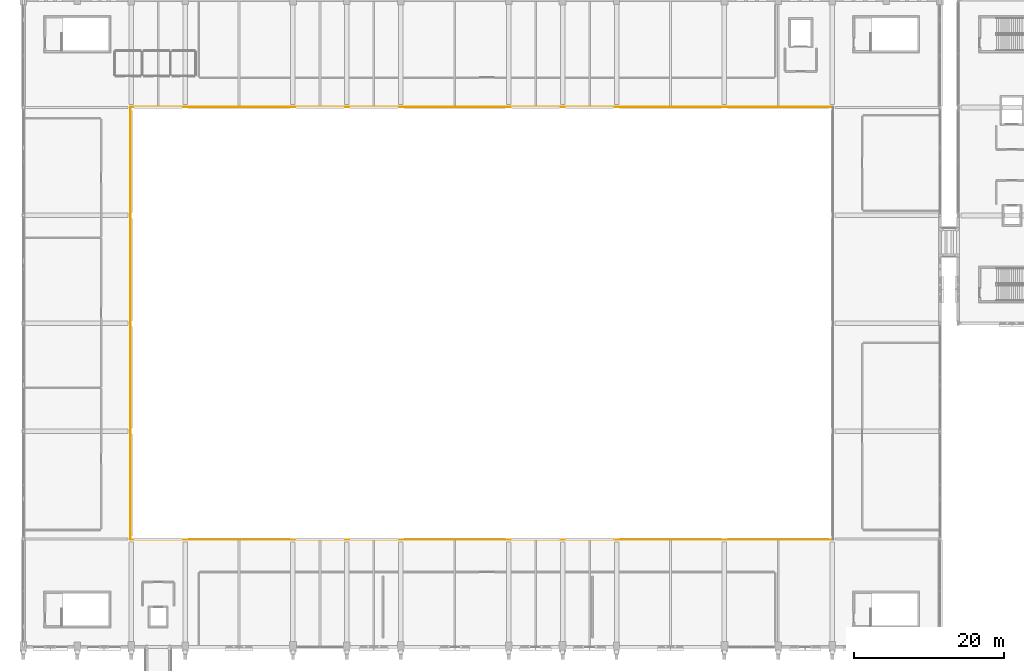
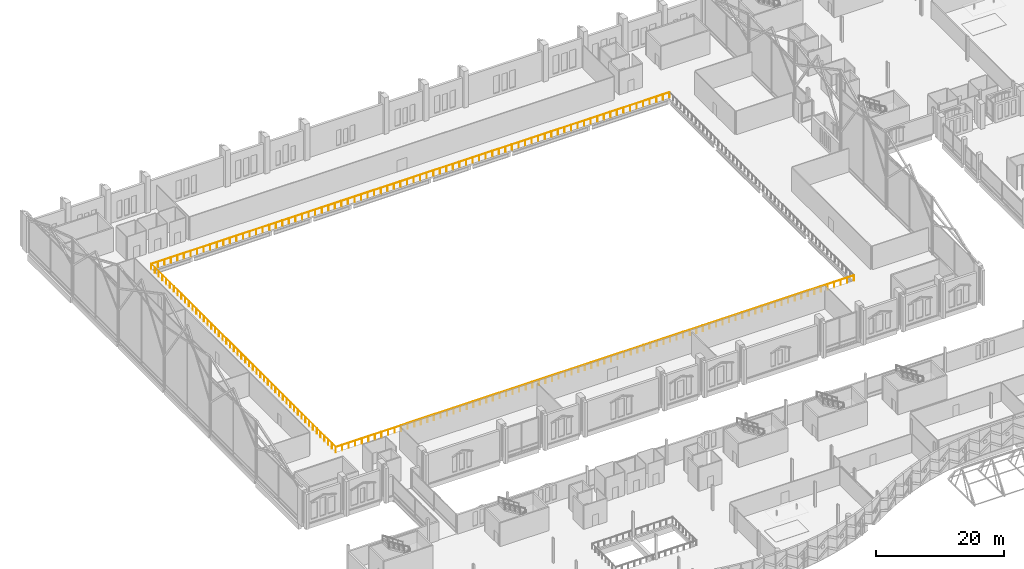
# One storey, part 202 of 220: 3 railings.
"""IFC4 building model written with IfcOpenShell, lengths in metres."""

from ifc_helpers import new_model, si_unit, direction, frame, origin, origin_2d, place, context, subcontext, project, spatial, circle, extrude, material, type_object, element, save


model = new_model("IFC4")

# Units and contexts
model_context = context("Model", 3, precision=1e-05, world=origin(), true_north=direction((0.0, 1.0)))
body_context = subcontext(model_context, "Body", "Model", "MODEL_VIEW")
ifc_project = project(units=[si_unit("LENGTHUNIT", "METRE"), si_unit("AREAUNIT", "SQUARE_METRE"), si_unit("VOLUMEUNIT", "CUBIC_METRE"), si_unit("PLANEANGLEUNIT", "RADIAN"), si_unit("MASSUNIT", "GRAM", prefix="KILO")], contexts=[model_context])

# Site, building, storey
site_placement = place(None, origin())
site = spatial("IfcSite", under=ifc_project, at=site_placement, CompositionType="ELEMENT")
building_placement = place(site_placement, origin())
building = spatial("IfcBuilding", under=site, at=building_placement, Name="Cendralis Lancet Convention Centre", CompositionType="ELEMENT")
storey_placement = place(building_placement, frame((0.0, 0.0, 5.39990234375)))
storey = spatial("IfcBuildingStorey", under=building, at=storey_placement, Name="L01", CompositionType="ELEMENT", Elevation=5.39990234375)

# Railings
ifc_material = material(Name="Steel S355", Category="steel")
railing_type = type_object("IfcRailingType", Name="ARC-RL-IG01", PredefinedType="GUARDRAIL", material=ifc_material)
railing_1_placement = place(storey_placement, frame((14.300048828125, 64.699951171875, 0.0)))
element("IfcRailing", 1, at=railing_1_placement, inside=storey, type_object=railing_type, Name="L01 Atrium Void Guardrail GD-IN1 #001", PredefinedType="GUARDRAIL", context=body_context, shape_type="SweptSolid", body=[
    extrude(circle(Radius=0.02392578125, at=origin_2d()), frame((0.0, 0.0, 1.076171875), z_axis=(1.0, 0.0, 0.0), x_axis=(0.0, 1.0, 0.0)), (0.0, 0.0, 1.0), 93.800048828125),
    extrude(circle(Radius=0.02099609375, at=origin_2d()), origin(), (0.0, 0.0, 1.0), 1.052001953125),
    extrude(circle(Radius=0.02099609375, at=origin_2d()), frame((1.187255859375, 0.0, 0.0)), (0.0, 0.0, 1.0), 1.052001953125),
    extrude(circle(Radius=0.02099609375, at=origin_2d()), frame((2.374755859375, 0.0, 0.0)), (0.0, 0.0, 1.0), 1.052001953125),
    extrude(circle(Radius=0.02099609375, at=origin_2d()), frame((3.56201171875, 0.0, 0.0)), (0.0, 0.0, 1.0), 1.052001953125),
    extrude(circle(Radius=0.02099609375, at=origin_2d()), frame((4.749267578125, 0.0, 0.0)), (0.0, 0.0, 1.0), 1.052001953125),
    extrude(circle(Radius=0.02099609375, at=origin_2d()), frame((5.936767578125, 0.0, 0.0)), (0.0, 0.0, 1.0), 1.052001953125),
    extrude(circle(Radius=0.02099609375, at=origin_2d()), frame((7.1240234375, 0.0, 0.0)), (0.0, 0.0, 1.0), 1.052001953125),
    extrude(circle(Radius=0.02099609375, at=origin_2d()), frame((8.311279296875, 0.0, 0.0)), (0.0, 0.0, 1.0), 1.052001953125),
    extrude(circle(Radius=0.02099609375, at=origin_2d()), frame((9.498779296875, 0.0, 0.0)), (0.0, 0.0, 1.0), 1.052001953125),
    extrude(circle(Radius=0.02099609375, at=origin_2d()), frame((10.68603515625, 0.0, 0.0)), (0.0, 0.0, 1.0), 1.052001953125),
    extrude(circle(Radius=0.02099609375, at=origin_2d()), frame((11.87353515625, 0.0, 0.0)), (0.0, 0.0, 1.0), 1.052001953125),
    extrude(circle(Radius=0.02099609375, at=origin_2d()), frame((13.060791015625, 0.0, 0.0)), (0.0, 0.0, 1.0), 1.052001953125),
    extrude(circle(Radius=0.02099609375, at=origin_2d()), frame((14.248046875, 0.0, 0.0)), (0.0, 0.0, 1.0), 1.052001953125),
    extrude(circle(Radius=0.02099609375, at=origin_2d()), frame((15.435546875, 0.0, 0.0)), (0.0, 0.0, 1.0), 1.052001953125),
    extrude(circle(Radius=0.02099609375, at=origin_2d()), frame((16.622802734375, 0.0, 0.0)), (0.0, 0.0, 1.0), 1.052001953125),
    extrude(circle(Radius=0.02099609375, at=origin_2d()), frame((17.81005859375, 0.0, 0.0)), (0.0, 0.0, 1.0), 1.052001953125),
    extrude(circle(Radius=0.02099609375, at=origin_2d()), frame((18.99755859375, 0.0, 0.0)), (0.0, 0.0, 1.0), 1.052001953125),
    extrude(circle(Radius=0.02099609375, at=origin_2d()), frame((20.184814453125, 0.0, 0.0)), (0.0, 0.0, 1.0), 1.052001953125),
    extrude(circle(Radius=0.02099609375, at=origin_2d()), frame((21.3720703125, 0.0, 0.0)), (0.0, 0.0, 1.0), 1.052001953125),
    extrude(circle(Radius=0.02099609375, at=origin_2d()), frame((22.5595703125, 0.0, 0.0)), (0.0, 0.0, 1.0), 1.052001953125),
    extrude(circle(Radius=0.02099609375, at=origin_2d()), frame((23.746826171875, 0.0, 0.0)), (0.0, 0.0, 1.0), 1.052001953125),
    extrude(circle(Radius=0.02099609375, at=origin_2d()), frame((24.93408203125, 0.0, 0.0)), (0.0, 0.0, 1.0), 1.052001953125),
    extrude(circle(Radius=0.02099609375, at=origin_2d()), frame((26.12158203125, 0.0, 0.0)), (0.0, 0.0, 1.0), 1.052001953125),
    extrude(circle(Radius=0.02099609375, at=origin_2d()), frame((27.308837890625, 0.0, 0.0)), (0.0, 0.0, 1.0), 1.052001953125),
    extrude(circle(Radius=0.02099609375, at=origin_2d()), frame((28.496337890625, 0.0, 0.0)), (0.0, 0.0, 1.0), 1.052001953125),
    extrude(circle(Radius=0.02099609375, at=origin_2d()), frame((29.68359375, 0.0, 0.0)), (0.0, 0.0, 1.0), 1.052001953125),
    extrude(circle(Radius=0.02099609375, at=origin_2d()), frame((30.870849609375, 0.0, 0.0)), (0.0, 0.0, 1.0), 1.052001953125),
    extrude(circle(Radius=0.02099609375, at=origin_2d()), frame((32.058349609375, 0.0, 0.0)), (0.0, 0.0, 1.0), 1.052001953125),
    extrude(circle(Radius=0.02099609375, at=origin_2d()), frame((33.24560546875, 0.0, 0.0)), (0.0, 0.0, 1.0), 1.052001953125),
    extrude(circle(Radius=0.02099609375, at=origin_2d()), frame((34.432861328125, 0.0, 0.0)), (0.0, 0.0, 1.0), 1.052001953125),
    extrude(circle(Radius=0.02099609375, at=origin_2d()), frame((35.620361328125, 0.0, 0.0)), (0.0, 0.0, 1.0), 1.052001953125),
    extrude(circle(Radius=0.02099609375, at=origin_2d()), frame((36.8076171875, 0.0, 0.0)), (0.0, 0.0, 1.0), 1.052001953125),
    extrude(circle(Radius=0.02099609375, at=origin_2d()), frame((37.994873046875, 0.0, 0.0)), (0.0, 0.0, 1.0), 1.052001953125),
    extrude(circle(Radius=0.02099609375, at=origin_2d()), frame((39.182373046875, 0.0, 0.0)), (0.0, 0.0, 1.0), 1.052001953125),
    extrude(circle(Radius=0.02099609375, at=origin_2d()), frame((40.36962890625, 0.0, 0.0)), (0.0, 0.0, 1.0), 1.052001953125),
    extrude(circle(Radius=0.02099609375, at=origin_2d()), frame((41.556884765625, 0.0, 0.0)), (0.0, 0.0, 1.0), 1.052001953125),
    extrude(circle(Radius=0.02099609375, at=origin_2d()), frame((42.744384765625, 0.0, 0.0)), (0.0, 0.0, 1.0), 1.052001953125),
    extrude(circle(Radius=0.02099609375, at=origin_2d()), frame((43.931640625, 0.0, 0.0)), (0.0, 0.0, 1.0), 1.052001953125),
    extrude(circle(Radius=0.02099609375, at=origin_2d()), frame((45.118896484375, 0.0, 0.0)), (0.0, 0.0, 1.0), 1.052001953125),
    extrude(circle(Radius=0.02099609375, at=origin_2d()), frame((46.306396484375, 0.0, 0.0)), (0.0, 0.0, 1.0), 1.052001953125),
    extrude(circle(Radius=0.02099609375, at=origin_2d()), frame((47.49365234375, 0.0, 0.0)), (0.0, 0.0, 1.0), 1.052001953125),
    extrude(circle(Radius=0.02099609375, at=origin_2d()), frame((48.68115234375, 0.0, 0.0)), (0.0, 0.0, 1.0), 1.052001953125),
    extrude(circle(Radius=0.02099609375, at=origin_2d()), frame((49.868408203125, 0.0, 0.0)), (0.0, 0.0, 1.0), 1.052001953125),
    extrude(circle(Radius=0.02099609375, at=origin_2d()), frame((51.0556640625, 0.0, 0.0)), (0.0, 0.0, 1.0), 1.052001953125),
    extrude(circle(Radius=0.02099609375, at=origin_2d()), frame((52.2431640625, 0.0, 0.0)), (0.0, 0.0, 1.0), 1.052001953125),
    extrude(circle(Radius=0.02099609375, at=origin_2d()), frame((53.430419921875, 0.0, 0.0)), (0.0, 0.0, 1.0), 1.052001953125),
    extrude(circle(Radius=0.02099609375, at=origin_2d()), frame((54.61767578125, 0.0, 0.0)), (0.0, 0.0, 1.0), 1.052001953125),
    extrude(circle(Radius=0.02099609375, at=origin_2d()), frame((55.80517578125, 0.0, 0.0)), (0.0, 0.0, 1.0), 1.052001953125),
    extrude(circle(Radius=0.02099609375, at=origin_2d()), frame((56.992431640625, 0.0, 0.0)), (0.0, 0.0, 1.0), 1.052001953125),
    extrude(circle(Radius=0.02099609375, at=origin_2d()), frame((58.1796875, 0.0, 0.0)), (0.0, 0.0, 1.0), 1.052001953125),
    extrude(circle(Radius=0.02099609375, at=origin_2d()), frame((59.3671875, 0.0, 0.0)), (0.0, 0.0, 1.0), 1.052001953125),
    extrude(circle(Radius=0.02099609375, at=origin_2d()), frame((60.554443359375, 0.0, 0.0)), (0.0, 0.0, 1.0), 1.052001953125),
    extrude(circle(Radius=0.02099609375, at=origin_2d()), frame((61.74169921875, 0.0, 0.0)), (0.0, 0.0, 1.0), 1.052001953125),
    extrude(circle(Radius=0.02099609375, at=origin_2d()), frame((62.92919921875, 0.0, 0.0)), (0.0, 0.0, 1.0), 1.052001953125),
    extrude(circle(Radius=0.02099609375, at=origin_2d()), frame((64.116455078125, 0.0, 0.0)), (0.0, 0.0, 1.0), 1.052001953125),
    extrude(circle(Radius=0.02099609375, at=origin_2d()), frame((65.3037109375, 0.0, 0.0)), (0.0, 0.0, 1.0), 1.052001953125),
    extrude(circle(Radius=0.02099609375, at=origin_2d()), frame((66.4912109375, 0.0, 0.0)), (0.0, 0.0, 1.0), 1.052001953125),
    extrude(circle(Radius=0.02099609375, at=origin_2d()), frame((67.678466796875, 0.0, 0.0)), (0.0, 0.0, 1.0), 1.052001953125),
    extrude(circle(Radius=0.02099609375, at=origin_2d()), frame((68.865966796875, 0.0, 0.0)), (0.0, 0.0, 1.0), 1.052001953125),
    extrude(circle(Radius=0.02099609375, at=origin_2d()), frame((70.05322265625, 0.0, 0.0)), (0.0, 0.0, 1.0), 1.052001953125),
    extrude(circle(Radius=0.02099609375, at=origin_2d()), frame((71.240478515625, 0.0, 0.0)), (0.0, 0.0, 1.0), 1.052001953125),
    extrude(circle(Radius=0.02099609375, at=origin_2d()), frame((72.427978515625, 0.0, 0.0)), (0.0, 0.0, 1.0), 1.052001953125),
    extrude(circle(Radius=0.02099609375, at=origin_2d()), frame((73.615234375, 0.0, 0.0)), (0.0, 0.0, 1.0), 1.052001953125),
    extrude(circle(Radius=0.02099609375, at=origin_2d()), frame((74.802490234375, 0.0, 0.0)), (0.0, 0.0, 1.0), 1.052001953125),
    extrude(circle(Radius=0.02099609375, at=origin_2d()), frame((75.989990234375, 0.0, 0.0)), (0.0, 0.0, 1.0), 1.052001953125),
    extrude(circle(Radius=0.02099609375, at=origin_2d()), frame((77.17724609375, 0.0, 0.0)), (0.0, 0.0, 1.0), 1.052001953125),
    extrude(circle(Radius=0.02099609375, at=origin_2d()), frame((78.364501953125, 0.0, 0.0)), (0.0, 0.0, 1.0), 1.052001953125),
    extrude(circle(Radius=0.02099609375, at=origin_2d()), frame((79.552001953125, 0.0, 0.0)), (0.0, 0.0, 1.0), 1.052001953125),
    extrude(circle(Radius=0.02099609375, at=origin_2d()), frame((80.7392578125, 0.0, 0.0)), (0.0, 0.0, 1.0), 1.052001953125),
    extrude(circle(Radius=0.02099609375, at=origin_2d()), frame((81.926513671875, 0.0, 0.0)), (0.0, 0.0, 1.0), 1.052001953125),
    extrude(circle(Radius=0.02099609375, at=origin_2d()), frame((83.114013671875, 0.0, 0.0)), (0.0, 0.0, 1.0), 1.052001953125),
    extrude(circle(Radius=0.02099609375, at=origin_2d()), frame((84.30126953125, 0.0, 0.0)), (0.0, 0.0, 1.0), 1.052001953125),
    extrude(circle(Radius=0.02099609375, at=origin_2d()), frame((85.48876953125, 0.0, 0.0)), (0.0, 0.0, 1.0), 1.052001953125),
    extrude(circle(Radius=0.02099609375, at=origin_2d()), frame((86.676025390625, 0.0, 0.0)), (0.0, 0.0, 1.0), 1.052001953125),
    extrude(circle(Radius=0.02099609375, at=origin_2d()), frame((87.86328125, 0.0, 0.0)), (0.0, 0.0, 1.0), 1.052001953125),
    extrude(circle(Radius=0.02099609375, at=origin_2d()), frame((89.05078125, 0.0, 0.0)), (0.0, 0.0, 1.0), 1.052001953125),
    extrude(circle(Radius=0.02099609375, at=origin_2d()), frame((90.238037109375, 0.0, 0.0)), (0.0, 0.0, 1.0), 1.052001953125),
    extrude(circle(Radius=0.02099609375, at=origin_2d()), frame((91.42529296875, 0.0, 0.0)), (0.0, 0.0, 1.0), 1.052001953125),
    extrude(circle(Radius=0.02099609375, at=origin_2d()), frame((92.61279296875, 0.0, 0.0)), (0.0, 0.0, 1.0), 1.052001953125),
    extrude(circle(Radius=0.02099609375, at=origin_2d()), frame((93.800048828125, 0.0, 0.0)), (0.0, 0.0, 1.0), 1.052001953125),
])
railing_2_placement = place(storey_placement, frame((108.10009765625, 122.5, 0.0)))
element("IfcRailing", 2, at=railing_2_placement, inside=storey, type_object=railing_type, Name="L01 Atrium Void Guardrail GD-IN1 #003", PredefinedType="GUARDRAIL", context=body_context, shape_type="SweptSolid", body=[
    extrude(circle(Radius=0.02392578125, at=origin_2d()), frame((0.0, 0.0, 1.076171875), z_axis=(-1.0, 0.0, 0.0), x_axis=(0.0, -1.0, 0.0)), (0.0, 0.0, 1.0), 93.800048828125),
    extrude(circle(Radius=0.02099609375, at=origin_2d()), origin(), (0.0, 0.0, 1.0), 1.052001953125),
    extrude(circle(Radius=0.02099609375, at=origin_2d()), frame((-1.187255859375, 0.0, 0.0)), (0.0, 0.0, 1.0), 1.052001953125),
    extrude(circle(Radius=0.02099609375, at=origin_2d()), frame((-2.374755859375, 0.0, 0.0)), (0.0, 0.0, 1.0), 1.052001953125),
    extrude(circle(Radius=0.02099609375, at=origin_2d()), frame((-3.56201171875, 0.0, 0.0)), (0.0, 0.0, 1.0), 1.052001953125),
    extrude(circle(Radius=0.02099609375, at=origin_2d()), frame((-4.749267578125, 0.0, 0.0)), (0.0, 0.0, 1.0), 1.052001953125),
    extrude(circle(Radius=0.02099609375, at=origin_2d()), frame((-5.936767578125, 0.0, 0.0)), (0.0, 0.0, 1.0), 1.052001953125),
    extrude(circle(Radius=0.02099609375, at=origin_2d()), frame((-7.1240234375, 0.0, 0.0)), (0.0, 0.0, 1.0), 1.052001953125),
    extrude(circle(Radius=0.02099609375, at=origin_2d()), frame((-8.311279296875, 0.0, 0.0)), (0.0, 0.0, 1.0), 1.052001953125),
    extrude(circle(Radius=0.02099609375, at=origin_2d()), frame((-9.498779296875, 0.0, 0.0)), (0.0, 0.0, 1.0), 1.052001953125),
    extrude(circle(Radius=0.02099609375, at=origin_2d()), frame((-10.68603515625, 0.0, 0.0)), (0.0, 0.0, 1.0), 1.052001953125),
    extrude(circle(Radius=0.02099609375, at=origin_2d()), frame((-11.87353515625, 0.0, 0.0)), (0.0, 0.0, 1.0), 1.052001953125),
    extrude(circle(Radius=0.02099609375, at=origin_2d()), frame((-13.060791015625, 0.0, 0.0)), (0.0, 0.0, 1.0), 1.052001953125),
    extrude(circle(Radius=0.02099609375, at=origin_2d()), frame((-14.248046875, 0.0, 0.0)), (0.0, 0.0, 1.0), 1.052001953125),
    extrude(circle(Radius=0.02099609375, at=origin_2d()), frame((-15.435546875, 0.0, 0.0)), (0.0, 0.0, 1.0), 1.052001953125),
    extrude(circle(Radius=0.02099609375, at=origin_2d()), frame((-16.622802734375, 0.0, 0.0)), (0.0, 0.0, 1.0), 1.052001953125),
    extrude(circle(Radius=0.02099609375, at=origin_2d()), frame((-17.81005859375, 0.0, 0.0)), (0.0, 0.0, 1.0), 1.052001953125),
    extrude(circle(Radius=0.02099609375, at=origin_2d()), frame((-18.99755859375, 0.0, 0.0)), (0.0, 0.0, 1.0), 1.052001953125),
    extrude(circle(Radius=0.02099609375, at=origin_2d()), frame((-20.184814453125, 0.0, 0.0)), (0.0, 0.0, 1.0), 1.052001953125),
    extrude(circle(Radius=0.02099609375, at=origin_2d()), frame((-21.3720703125, 0.0, 0.0)), (0.0, 0.0, 1.0), 1.052001953125),
    extrude(circle(Radius=0.02099609375, at=origin_2d()), frame((-22.5595703125, 0.0, 0.0)), (0.0, 0.0, 1.0), 1.052001953125),
    extrude(circle(Radius=0.02099609375, at=origin_2d()), frame((-23.746826171875, 0.0, 0.0)), (0.0, 0.0, 1.0), 1.052001953125),
    extrude(circle(Radius=0.02099609375, at=origin_2d()), frame((-24.93408203125, 0.0, 0.0)), (0.0, 0.0, 1.0), 1.052001953125),
    extrude(circle(Radius=0.02099609375, at=origin_2d()), frame((-26.12158203125, 0.0, 0.0)), (0.0, 0.0, 1.0), 1.052001953125),
    extrude(circle(Radius=0.02099609375, at=origin_2d()), frame((-27.308837890625, 0.0, 0.0)), (0.0, 0.0, 1.0), 1.052001953125),
    extrude(circle(Radius=0.02099609375, at=origin_2d()), frame((-28.496337890625, 0.0, 0.0)), (0.0, 0.0, 1.0), 1.052001953125),
    extrude(circle(Radius=0.02099609375, at=origin_2d()), frame((-29.68359375, 0.0, 0.0)), (0.0, 0.0, 1.0), 1.052001953125),
    extrude(circle(Radius=0.02099609375, at=origin_2d()), frame((-30.870849609375, 0.0, 0.0)), (0.0, 0.0, 1.0), 1.052001953125),
    extrude(circle(Radius=0.02099609375, at=origin_2d()), frame((-32.058349609375, 0.0, 0.0)), (0.0, 0.0, 1.0), 1.052001953125),
    extrude(circle(Radius=0.02099609375, at=origin_2d()), frame((-33.24560546875, 0.0, 0.0)), (0.0, 0.0, 1.0), 1.052001953125),
    extrude(circle(Radius=0.02099609375, at=origin_2d()), frame((-34.432861328125, 0.0, 0.0)), (0.0, 0.0, 1.0), 1.052001953125),
    extrude(circle(Radius=0.02099609375, at=origin_2d()), frame((-35.620361328125, 0.0, 0.0)), (0.0, 0.0, 1.0), 1.052001953125),
    extrude(circle(Radius=0.02099609375, at=origin_2d()), frame((-36.8076171875, 0.0, 0.0)), (0.0, 0.0, 1.0), 1.052001953125),
    extrude(circle(Radius=0.02099609375, at=origin_2d()), frame((-37.994873046875, 0.0, 0.0)), (0.0, 0.0, 1.0), 1.052001953125),
    extrude(circle(Radius=0.02099609375, at=origin_2d()), frame((-39.182373046875, 0.0, 0.0)), (0.0, 0.0, 1.0), 1.052001953125),
    extrude(circle(Radius=0.02099609375, at=origin_2d()), frame((-40.36962890625, 0.0, 0.0)), (0.0, 0.0, 1.0), 1.052001953125),
    extrude(circle(Radius=0.02099609375, at=origin_2d()), frame((-41.556884765625, 0.0, 0.0)), (0.0, 0.0, 1.0), 1.052001953125),
    extrude(circle(Radius=0.02099609375, at=origin_2d()), frame((-42.744384765625, 0.0, 0.0)), (0.0, 0.0, 1.0), 1.052001953125),
    extrude(circle(Radius=0.02099609375, at=origin_2d()), frame((-43.931640625, 0.0, 0.0)), (0.0, 0.0, 1.0), 1.052001953125),
    extrude(circle(Radius=0.02099609375, at=origin_2d()), frame((-45.118896484375, 0.0, 0.0)), (0.0, 0.0, 1.0), 1.052001953125),
    extrude(circle(Radius=0.02099609375, at=origin_2d()), frame((-46.306396484375, 0.0, 0.0)), (0.0, 0.0, 1.0), 1.052001953125),
    extrude(circle(Radius=0.02099609375, at=origin_2d()), frame((-47.49365234375, 0.0, 0.0)), (0.0, 0.0, 1.0), 1.052001953125),
    extrude(circle(Radius=0.02099609375, at=origin_2d()), frame((-48.68115234375, 0.0, 0.0)), (0.0, 0.0, 1.0), 1.052001953125),
    extrude(circle(Radius=0.02099609375, at=origin_2d()), frame((-49.868408203125, 0.0, 0.0)), (0.0, 0.0, 1.0), 1.052001953125),
    extrude(circle(Radius=0.02099609375, at=origin_2d()), frame((-51.0556640625, 0.0, 0.0)), (0.0, 0.0, 1.0), 1.052001953125),
    extrude(circle(Radius=0.02099609375, at=origin_2d()), frame((-52.2431640625, 0.0, 0.0)), (0.0, 0.0, 1.0), 1.052001953125),
    extrude(circle(Radius=0.02099609375, at=origin_2d()), frame((-53.430419921875, 0.0, 0.0)), (0.0, 0.0, 1.0), 1.052001953125),
    extrude(circle(Radius=0.02099609375, at=origin_2d()), frame((-54.61767578125, 0.0, 0.0)), (0.0, 0.0, 1.0), 1.052001953125),
    extrude(circle(Radius=0.02099609375, at=origin_2d()), frame((-55.80517578125, 0.0, 0.0)), (0.0, 0.0, 1.0), 1.052001953125),
    extrude(circle(Radius=0.02099609375, at=origin_2d()), frame((-56.992431640625, 0.0, 0.0)), (0.0, 0.0, 1.0), 1.052001953125),
    extrude(circle(Radius=0.02099609375, at=origin_2d()), frame((-58.1796875, 0.0, 0.0)), (0.0, 0.0, 1.0), 1.052001953125),
    extrude(circle(Radius=0.02099609375, at=origin_2d()), frame((-59.3671875, 0.0, 0.0)), (0.0, 0.0, 1.0), 1.052001953125),
    extrude(circle(Radius=0.02099609375, at=origin_2d()), frame((-60.554443359375, 0.0, 0.0)), (0.0, 0.0, 1.0), 1.052001953125),
    extrude(circle(Radius=0.02099609375, at=origin_2d()), frame((-61.74169921875, 0.0, 0.0)), (0.0, 0.0, 1.0), 1.052001953125),
    extrude(circle(Radius=0.02099609375, at=origin_2d()), frame((-62.92919921875, 0.0, 0.0)), (0.0, 0.0, 1.0), 1.052001953125),
    extrude(circle(Radius=0.02099609375, at=origin_2d()), frame((-64.116455078125, 0.0, 0.0)), (0.0, 0.0, 1.0), 1.052001953125),
    extrude(circle(Radius=0.02099609375, at=origin_2d()), frame((-65.3037109375, 0.0, 0.0)), (0.0, 0.0, 1.0), 1.052001953125),
    extrude(circle(Radius=0.02099609375, at=origin_2d()), frame((-66.4912109375, 0.0, 0.0)), (0.0, 0.0, 1.0), 1.052001953125),
    extrude(circle(Radius=0.02099609375, at=origin_2d()), frame((-67.678466796875, 0.0, 0.0)), (0.0, 0.0, 1.0), 1.052001953125),
    extrude(circle(Radius=0.02099609375, at=origin_2d()), frame((-68.865966796875, 0.0, 0.0)), (0.0, 0.0, 1.0), 1.052001953125),
    extrude(circle(Radius=0.02099609375, at=origin_2d()), frame((-70.05322265625, 0.0, 0.0)), (0.0, 0.0, 1.0), 1.052001953125),
    extrude(circle(Radius=0.02099609375, at=origin_2d()), frame((-71.240478515625, 0.0, 0.0)), (0.0, 0.0, 1.0), 1.052001953125),
    extrude(circle(Radius=0.02099609375, at=origin_2d()), frame((-72.427978515625, 0.0, 0.0)), (0.0, 0.0, 1.0), 1.052001953125),
    extrude(circle(Radius=0.02099609375, at=origin_2d()), frame((-73.615234375, 0.0, 0.0)), (0.0, 0.0, 1.0), 1.052001953125),
    extrude(circle(Radius=0.02099609375, at=origin_2d()), frame((-74.802490234375, 0.0, 0.0)), (0.0, 0.0, 1.0), 1.052001953125),
    extrude(circle(Radius=0.02099609375, at=origin_2d()), frame((-75.989990234375, 0.0, 0.0)), (0.0, 0.0, 1.0), 1.052001953125),
    extrude(circle(Radius=0.02099609375, at=origin_2d()), frame((-77.17724609375, 0.0, 0.0)), (0.0, 0.0, 1.0), 1.052001953125),
    extrude(circle(Radius=0.02099609375, at=origin_2d()), frame((-78.364501953125, 0.0, 0.0)), (0.0, 0.0, 1.0), 1.052001953125),
    extrude(circle(Radius=0.02099609375, at=origin_2d()), frame((-79.552001953125, 0.0, 0.0)), (0.0, 0.0, 1.0), 1.052001953125),
    extrude(circle(Radius=0.02099609375, at=origin_2d()), frame((-80.7392578125, 0.0, 0.0)), (0.0, 0.0, 1.0), 1.052001953125),
    extrude(circle(Radius=0.02099609375, at=origin_2d()), frame((-81.926513671875, 0.0, 0.0)), (0.0, 0.0, 1.0), 1.052001953125),
    extrude(circle(Radius=0.02099609375, at=origin_2d()), frame((-83.114013671875, 0.0, 0.0)), (0.0, 0.0, 1.0), 1.052001953125),
    extrude(circle(Radius=0.02099609375, at=origin_2d()), frame((-84.30126953125, 0.0, 0.0)), (0.0, 0.0, 1.0), 1.052001953125),
    extrude(circle(Radius=0.02099609375, at=origin_2d()), frame((-85.48876953125, 0.0, 0.0)), (0.0, 0.0, 1.0), 1.052001953125),
    extrude(circle(Radius=0.02099609375, at=origin_2d()), frame((-86.676025390625, 0.0, 0.0)), (0.0, 0.0, 1.0), 1.052001953125),
    extrude(circle(Radius=0.02099609375, at=origin_2d()), frame((-87.86328125, 0.0, 0.0)), (0.0, 0.0, 1.0), 1.052001953125),
    extrude(circle(Radius=0.02099609375, at=origin_2d()), frame((-89.05078125, 0.0, 0.0)), (0.0, 0.0, 1.0), 1.052001953125),
    extrude(circle(Radius=0.02099609375, at=origin_2d()), frame((-90.238037109375, 0.0, 0.0)), (0.0, 0.0, 1.0), 1.052001953125),
    extrude(circle(Radius=0.02099609375, at=origin_2d()), frame((-91.42529296875, 0.0, 0.0)), (0.0, 0.0, 1.0), 1.052001953125),
    extrude(circle(Radius=0.02099609375, at=origin_2d()), frame((-92.61279296875, 0.0, 0.0)), (0.0, 0.0, 1.0), 1.052001953125),
    extrude(circle(Radius=0.02099609375, at=origin_2d()), frame((-93.800048828125, 0.0, 0.0)), (0.0, 0.0, 1.0), 1.052001953125),
])
railing_3_placement = place(storey_placement, frame((14.300048828125, 122.5, 0.0)))
element("IfcRailing", 3, at=railing_3_placement, inside=storey, type_object=railing_type, Name="L01 Atrium Void Guardrail GD-IN1 #004", PredefinedType="GUARDRAIL", context=body_context, shape_type="SweptSolid", body=[
    extrude(circle(Radius=0.02392578125, at=origin_2d()), frame((0.0, 0.0, 1.076171875), z_axis=(0.0, -1.0, 0.0), x_axis=(1.0, 0.0, 0.0)), (0.0, 0.0, 1.0), 57.800048828125),
    extrude(circle(Radius=0.02099609375, at=origin_2d()), origin(), (0.0, 0.0, 1.0), 1.052001953125),
    extrude(circle(Radius=0.02099609375, at=origin_2d()), frame((0.0, -1.1796875, 0.0)), (0.0, 0.0, 1.0), 1.052001953125),
    extrude(circle(Radius=0.02099609375, at=origin_2d()), frame((0.0, -2.359130859375, 0.0)), (0.0, 0.0, 1.0), 1.052001953125),
    extrude(circle(Radius=0.02099609375, at=origin_2d()), frame((0.0, -3.538818359375, 0.0)), (0.0, 0.0, 1.0), 1.052001953125),
    extrude(circle(Radius=0.02099609375, at=origin_2d()), frame((0.0, -4.71826171875, 0.0)), (0.0, 0.0, 1.0), 1.052001953125),
    extrude(circle(Radius=0.02099609375, at=origin_2d()), frame((0.0, -5.89794921875, 0.0)), (0.0, 0.0, 1.0), 1.052001953125),
    extrude(circle(Radius=0.02099609375, at=origin_2d()), frame((0.0, -7.07763671875, 0.0)), (0.0, 0.0, 1.0), 1.052001953125),
    extrude(circle(Radius=0.02099609375, at=origin_2d()), frame((0.0, -8.257080078125, 0.0)), (0.0, 0.0, 1.0), 1.052001953125),
    extrude(circle(Radius=0.02099609375, at=origin_2d()), frame((0.0, -9.436767578125, 0.0)), (0.0, 0.0, 1.0), 1.052001953125),
    extrude(circle(Radius=0.02099609375, at=origin_2d()), frame((0.0, -10.616455078125, 0.0)), (0.0, 0.0, 1.0), 1.052001953125),
    extrude(circle(Radius=0.02099609375, at=origin_2d()), frame((0.0, -11.7958984375, 0.0)), (0.0, 0.0, 1.0), 1.052001953125),
    extrude(circle(Radius=0.02099609375, at=origin_2d()), frame((0.0, -12.9755859375, 0.0)), (0.0, 0.0, 1.0), 1.052001953125),
    extrude(circle(Radius=0.02099609375, at=origin_2d()), frame((0.0, -14.155029296875, 0.0)), (0.0, 0.0, 1.0), 1.052001953125),
    extrude(circle(Radius=0.02099609375, at=origin_2d()), frame((0.0, -15.334716796875, 0.0)), (0.0, 0.0, 1.0), 1.052001953125),
    extrude(circle(Radius=0.02099609375, at=origin_2d()), frame((0.0, -16.514404296875, 0.0)), (0.0, 0.0, 1.0), 1.052001953125),
    extrude(circle(Radius=0.02099609375, at=origin_2d()), frame((0.0, -17.69384765625, 0.0)), (0.0, 0.0, 1.0), 1.052001953125),
    extrude(circle(Radius=0.02099609375, at=origin_2d()), frame((0.0, -18.87353515625, 0.0)), (0.0, 0.0, 1.0), 1.052001953125),
    extrude(circle(Radius=0.02099609375, at=origin_2d()), frame((0.0, -20.052978515625, 0.0)), (0.0, 0.0, 1.0), 1.052001953125),
    extrude(circle(Radius=0.02099609375, at=origin_2d()), frame((0.0, -21.232666015625, 0.0)), (0.0, 0.0, 1.0), 1.052001953125),
    extrude(circle(Radius=0.02099609375, at=origin_2d()), frame((0.0, -22.412353515625, 0.0)), (0.0, 0.0, 1.0), 1.052001953125),
    extrude(circle(Radius=0.02099609375, at=origin_2d()), frame((0.0, -23.591796875, 0.0)), (0.0, 0.0, 1.0), 1.052001953125),
    extrude(circle(Radius=0.02099609375, at=origin_2d()), frame((0.0, -24.771484375, 0.0)), (0.0, 0.0, 1.0), 1.052001953125),
    extrude(circle(Radius=0.02099609375, at=origin_2d()), frame((0.0, -25.950927734375, 0.0)), (0.0, 0.0, 1.0), 1.052001953125),
    extrude(circle(Radius=0.02099609375, at=origin_2d()), frame((0.0, -27.130615234375, 0.0)), (0.0, 0.0, 1.0), 1.052001953125),
    extrude(circle(Radius=0.02099609375, at=origin_2d()), frame((0.0, -28.310302734375, 0.0)), (0.0, 0.0, 1.0), 1.052001953125),
    extrude(circle(Radius=0.02099609375, at=origin_2d()), frame((0.0, -29.48974609375, 0.0)), (0.0, 0.0, 1.0), 1.052001953125),
    extrude(circle(Radius=0.02099609375, at=origin_2d()), frame((0.0, -30.66943359375, 0.0)), (0.0, 0.0, 1.0), 1.052001953125),
    extrude(circle(Radius=0.02099609375, at=origin_2d()), frame((0.0, -31.84912109375, 0.0)), (0.0, 0.0, 1.0), 1.052001953125),
    extrude(circle(Radius=0.02099609375, at=origin_2d()), frame((0.0, -33.028564453125, 0.0)), (0.0, 0.0, 1.0), 1.052001953125),
    extrude(circle(Radius=0.02099609375, at=origin_2d()), frame((0.0, -34.208251953125, 0.0)), (0.0, 0.0, 1.0), 1.052001953125),
    extrude(circle(Radius=0.02099609375, at=origin_2d()), frame((0.0, -35.3876953125, 0.0)), (0.0, 0.0, 1.0), 1.052001953125),
    extrude(circle(Radius=0.02099609375, at=origin_2d()), frame((0.0, -36.5673828125, 0.0)), (0.0, 0.0, 1.0), 1.052001953125),
    extrude(circle(Radius=0.02099609375, at=origin_2d()), frame((0.0, -37.7470703125, 0.0)), (0.0, 0.0, 1.0), 1.052001953125),
    extrude(circle(Radius=0.02099609375, at=origin_2d()), frame((0.0, -38.926513671875, 0.0)), (0.0, 0.0, 1.0), 1.052001953125),
    extrude(circle(Radius=0.02099609375, at=origin_2d()), frame((0.0, -40.106201171875, 0.0)), (0.0, 0.0, 1.0), 1.052001953125),
    extrude(circle(Radius=0.02099609375, at=origin_2d()), frame((0.0, -41.28564453125, 0.0)), (0.0, 0.0, 1.0), 1.052001953125),
    extrude(circle(Radius=0.02099609375, at=origin_2d()), frame((0.0, -42.46533203125, 0.0)), (0.0, 0.0, 1.0), 1.052001953125),
    extrude(circle(Radius=0.02099609375, at=origin_2d()), frame((0.0, -43.64501953125, 0.0)), (0.0, 0.0, 1.0), 1.052001953125),
    extrude(circle(Radius=0.02099609375, at=origin_2d()), frame((0.0, -44.824462890625, 0.0)), (0.0, 0.0, 1.0), 1.052001953125),
    extrude(circle(Radius=0.02099609375, at=origin_2d()), frame((0.0, -46.004150390625, 0.0)), (0.0, 0.0, 1.0), 1.052001953125),
    extrude(circle(Radius=0.02099609375, at=origin_2d()), frame((0.0, -47.18359375, 0.0)), (0.0, 0.0, 1.0), 1.052001953125),
    extrude(circle(Radius=0.02099609375, at=origin_2d()), frame((0.0, -48.36328125, 0.0)), (0.0, 0.0, 1.0), 1.052001953125),
    extrude(circle(Radius=0.02099609375, at=origin_2d()), frame((0.0, -49.54296875, 0.0)), (0.0, 0.0, 1.0), 1.052001953125),
    extrude(circle(Radius=0.02099609375, at=origin_2d()), frame((0.0, -50.722412109375, 0.0)), (0.0, 0.0, 1.0), 1.052001953125),
    extrude(circle(Radius=0.02099609375, at=origin_2d()), frame((0.0, -51.902099609375, 0.0)), (0.0, 0.0, 1.0), 1.052001953125),
    extrude(circle(Radius=0.02099609375, at=origin_2d()), frame((0.0, -53.081787109375, 0.0)), (0.0, 0.0, 1.0), 1.052001953125),
    extrude(circle(Radius=0.02099609375, at=origin_2d()), frame((0.0, -54.26123046875, 0.0)), (0.0, 0.0, 1.0), 1.052001953125),
    extrude(circle(Radius=0.02099609375, at=origin_2d()), frame((0.0, -55.44091796875, 0.0)), (0.0, 0.0, 1.0), 1.052001953125),
    extrude(circle(Radius=0.02099609375, at=origin_2d()), frame((0.0, -56.620361328125, 0.0)), (0.0, 0.0, 1.0), 1.052001953125),
    extrude(circle(Radius=0.02099609375, at=origin_2d()), frame((0.0, -57.800048828125, 0.0)), (0.0, 0.0, 1.0), 1.052001953125),
])

save(model, "model.ifc")
